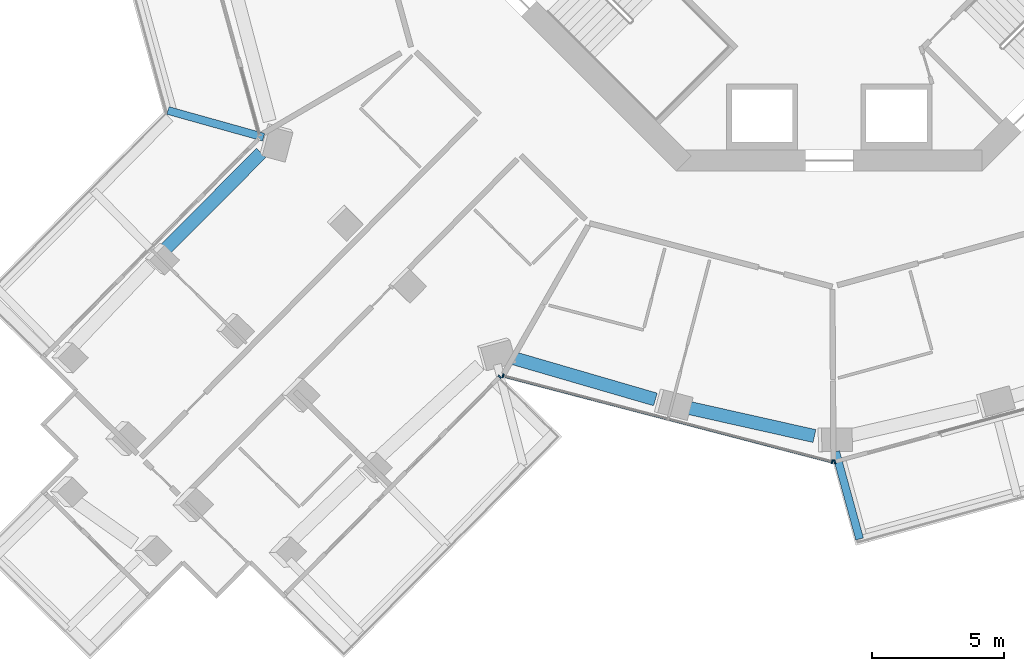
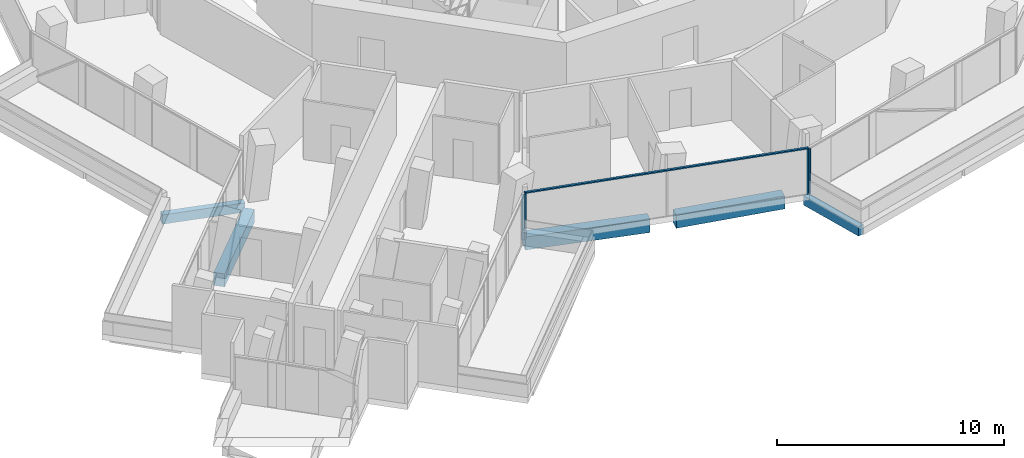
# One storey, part 3 of 26: 5 beams, 5 members, 3 elements without a shape of their own.
"""IFC4 building model written with IfcOpenShell, lengths in metres."""

from ifc_helpers import new_model, si_unit, direction, frame, origin, origin_2d, place, context, subcontext, project, spatial, rectangle, extrude, material, layer, layer_set, material_profile, profile_set, type_object, element, aggregate, save


model = new_model("IFC4")

# Units and contexts
model_context = context("Model", 3, precision=1e-05, world=origin(), true_north=direction((0.0, 1.0)))
body_context = subcontext(model_context, "Body", "Model", "MODEL_VIEW")
ifc_project = project(units=[si_unit("LENGTHUNIT", "METRE"), si_unit("AREAUNIT", "SQUARE_METRE"), si_unit("VOLUMEUNIT", "CUBIC_METRE"), si_unit("PLANEANGLEUNIT", "RADIAN"), si_unit("MASSUNIT", "GRAM", prefix="KILO")], contexts=[model_context])

# Site, building, storey
site_placement = place(None, origin())
site = spatial("IfcSite", under=ifc_project, at=site_placement, CompositionType="ELEMENT")
building_placement = place(site_placement, origin())
building = spatial("IfcBuilding", under=site, at=building_placement, Name="Verdalira Terraces Hotel", CompositionType="ELEMENT")
storey_placement = place(building_placement, frame((0.0, 0.0, 96.5)))
storey = spatial("IfcBuildingStorey", under=building, at=storey_placement, Name="L22", CompositionType="ELEMENT", Elevation=96.5)

# Beams
ifc_material_1 = material(Name="Concrete C40", Category="concrete")
ifc_material_profile_1 = material_profile(ifc_material_1, rectangle(XDim=0.300049, YDim=0.5, at=origin_2d()), Name="RC 300X500")
ifc_profile_set_1 = profile_set([ifc_material_profile_1], Name="Concrete C40")
beam_type_1 = type_object("IfcBeamType", Name="Balcony cantilever beam RC 300X500 C40", PredefinedType="BEAM", material=ifc_profile_set_1)
beam_1_placement = place(storey_placement, frame((-21.451904, -12.716309, -0.560059), z_axis=(-0.963156129, 0.268942877, 0.0), x_axis=(-0.268942877, -0.963156129, 0.0)))
element("IfcBeam", 1, at=beam_1_placement, inside=storey, type_object=beam_type_1, Name="Balcony cantilever beam R13-5", PredefinedType="BEAM", context=body_context, shape_type="SweptSolid", body=[
    extrude(rectangle(XDim=0.300049, YDim=0.5, at=origin_2d()), origin(), (0.0, 0.0, 1.0), 3.77002),
])
beam_2_placement = place(storey_placement, frame((0.23999, -24.643311, -0.560059), z_axis=(0.264868754, -0.964284472, 0.0), x_axis=(0.964284472, 0.264868754, 0.0)))
element("IfcBeam", 2, at=beam_2_placement, inside=storey, type_object=beam_type_1, Name="Balcony cantilever beam R26-1", PredefinedType="BEAM", context=body_context, shape_type="SweptSolid", body=[
    extrude(rectangle(XDim=0.300049, YDim=0.5, at=origin_2d()), origin(), (0.0, 0.0, 1.0), 3.431641),
])

# Curtain wall, members
ifc_material_2 = material(Name="Clear glass", Category="glass")
ifc_layer_1 = layer(ifc_material_2, 0.14990234375)
ifc_layer_set_1 = layer_set([ifc_layer_1], Name="CW1 curtain wall")
curtain_wall_type_1 = type_object("IfcCurtainWallType", Name="CW1 curtain wall", PredefinedType="NOTDEFINED", material=ifc_layer_set_1)
curtain_wall_1_placement = place(storey_placement, origin())
curtain_wall_1 = element("IfcCurtainWall", 3, at=curtain_wall_1_placement, inside=storey, type_object=curtain_wall_type_1, Name="CW1 curtain wall L22 edge 25", PredefinedType="NOTDEFINED")
ifc_material_3 = material(Name="Terracotta frame", Category="masonry")
ifc_material_profile_2 = material_profile(ifc_material_3, rectangle(XDim=0.060059, YDim=0.149902, at=origin_2d()), Name="MU 60x150")
ifc_profile_set_2 = profile_set([ifc_material_profile_2], Name="Terracotta frame")
member_type_1 = type_object("IfcMemberType", Name="CW1 mullion 60x150", PredefinedType="MULLION", material=ifc_profile_set_2)
member_1_placement = place(storey_placement, frame((-12.37207, -21.762939, 0.0), z_axis=(0.0, 0.0, 1.0), x_axis=(0.967532957, -0.252744885, 0.0)))
member_1 = element("IfcMember", 4, at=member_1_placement, type_object=member_type_1, Name="CW1 mullion", PredefinedType="MULLION", context=body_context, shape_type="SweptSolid", body=[
    extrude(rectangle(XDim=0.060059, YDim=0.149902, at=origin_2d()), origin(), (0.0, 0.0, 1.0), 2.425049),
])
member_2_placement = place(storey_placement, frame((0.108887, -25.023193, 0.0), z_axis=(0.0, 0.0, 1.0), x_axis=(0.967532957, -0.252744885, 0.0)))
member_2 = element("IfcMember", 5, at=member_2_placement, type_object=member_type_1, Name="CW1 mullion", PredefinedType="MULLION", context=body_context, shape_type="SweptSolid", body=[
    extrude(rectangle(XDim=0.060059, YDim=0.149902, at=origin_2d()), origin(), (0.0, 0.0, 1.0), 2.425049),
])

# Curtain wall, member
curtain_wall_2_placement = place(storey_placement, origin())
curtain_wall_2 = element("IfcCurtainWall", 6, at=curtain_wall_2_placement, inside=storey, type_object=curtain_wall_type_1, Name="CW1 curtain wall L22 edge 26", PredefinedType="NOTDEFINED")
member_3_placement = place(storey_placement, frame((0.205566, -25.022705, 0.0), z_axis=(0.0, 0.0, 1.0), x_axis=(0.964280562, 0.264882987, 0.0)))
member_3 = element("IfcMember", 7, at=member_3_placement, type_object=member_type_1, Name="CW1 mullion", PredefinedType="MULLION", context=body_context, shape_type="SweptSolid", body=[
    extrude(rectangle(XDim=0.060059, YDim=0.149902, at=origin_2d()), origin(), (0.0, 0.0, 1.0), 2.425049),
])
aggregate(curtain_wall_2, [member_3])

# Member
ifc_material_4 = material(Name="Terracotta frame", Category="masonry")
ifc_material_profile_3 = material_profile(ifc_material_4, rectangle(XDim=0.110107, YDim=0.064941, at=origin_2d()), Name="TR 65x110")
ifc_profile_set_3 = profile_set([ifc_material_profile_3], Name="Terracotta frame")
member_type_2 = type_object("IfcMemberType", Name="CW1 transom 65x110", PredefinedType="USERDEFINED", material=ifc_profile_set_3)
member_4_placement = place(storey_placement, frame((-12.401123, -21.755371, 2.45752), z_axis=(0.9675356, -0.252734767, 0.0), x_axis=(0.252734767, 0.9675356, 0.0)))
member_4 = element("IfcMember", 8, at=member_4_placement, type_object=member_type_2, Name="CW1 transom", ObjectType="TRANSOM", PredefinedType="USERDEFINED", context=body_context, shape_type="SweptSolid", body=[
    extrude(rectangle(XDim=0.110107, YDim=0.064941, at=origin_2d()), origin(), (0.0, 0.0, 1.0), 12.959717),
])

aggregate(curtain_wall_1, [member_1, member_2, member_4])

# Curtain wall, member
ifc_material_5 = material(Name="Clear glass", Category="glass")
ifc_layer_2 = layer(ifc_material_5, 0.14990234375)
ifc_layer_set_2 = layer_set([ifc_layer_2], Name="CW2 curtain wall")
curtain_wall_type_2 = type_object("IfcCurtainWallType", Name="CW2 curtain wall", PredefinedType="NOTDEFINED", material=ifc_layer_set_2)
curtain_wall_3_placement = place(storey_placement, origin())
curtain_wall_3 = element("IfcCurtainWall", 9, at=curtain_wall_3_placement, inside=storey, type_object=curtain_wall_type_2, Name="CW2 curtain wall L22 edge 24", PredefinedType="NOTDEFINED")
ifc_material_6 = material(Name="Terracotta frame", Category="masonry")
ifc_material_profile_4 = material_profile(ifc_material_6, rectangle(XDim=0.070068, YDim=0.149902, at=origin_2d()), Name="MU 70x150")
ifc_profile_set_4 = profile_set([ifc_material_profile_4], Name="Terracotta frame")
member_type_3 = type_object("IfcMemberType", Name="CW2 mullion 70x150", PredefinedType="MULLION", material=ifc_profile_set_4)
member_5_placement = place(storey_placement, frame((-12.498047, -21.800049, 0.0), z_axis=(0.0, 0.0, 1.0), x_axis=(0.70264997, 0.711535677, 0.0)))
member_5 = element("IfcMember", 10, at=member_5_placement, type_object=member_type_3, Name="CW2 mullion", PredefinedType="MULLION", context=body_context, shape_type="SweptSolid", body=[
    extrude(rectangle(XDim=0.070068, YDim=0.149902, at=origin_2d()), origin(), (0.0, 0.0, 1.0), 2.425049),
])
aggregate(curtain_wall_3, [member_5])

# Beams
ifc_material_7 = material(Name="Concrete C70", Category="concrete")
ifc_material_profile_5 = material_profile(ifc_material_7, rectangle(XDim=0.5, YDim=0.699951, at=origin_2d()), Name="RC 500X700")
ifc_profile_set_5 = profile_set([ifc_material_profile_5], Name="Concrete C70")
beam_type_2 = type_object("IfcBeamType", Name="Spandrel beam RC 500X700 C70", PredefinedType="SPANDREL", material=ifc_profile_set_5)
beam_3_placement = place(storey_placement, frame((-21.548584, -13.313721, -0.659912), z_axis=(-0.704973028, -0.709234115, 0.0), x_axis=(0.709234115, -0.704973028, 0.0)))
element("IfcBeam", 11, at=beam_3_placement, inside=storey, type_object=beam_type_2, Name="Spandrel beam B10", PredefinedType="SPANDREL", context=body_context, shape_type="SweptSolid", body=[
    extrude(rectangle(XDim=0.5, YDim=0.699951, at=origin_2d()), origin(), (0.0, 0.0, 1.0), 5.156494),
])
beam_4_placement = place(storey_placement, frame((-12.041504, -21.076416, -0.659912), z_axis=(0.960207051, -0.279289131, 0.0), x_axis=(0.279289131, 0.960207051, 0.0)))
element("IfcBeam", 12, at=beam_4_placement, inside=storey, type_object=beam_type_2, Name="Spandrel beam B15", PredefinedType="SPANDREL", context=body_context, shape_type="SweptSolid", body=[
    extrude(rectangle(XDim=0.5, YDim=0.699951, at=origin_2d()), origin(), (0.0, 0.0, 1.0), 5.671387),
])
beam_5_placement = place(storey_placement, frame((-5.455811, -22.952881, -0.659912), z_axis=(0.975814304, -0.218601108, 0.0), x_axis=(0.218601108, 0.975814304, 0.0)))
element("IfcBeam", 13, at=beam_5_placement, inside=storey, type_object=beam_type_2, Name="Spandrel beam B16", PredefinedType="SPANDREL", context=body_context, shape_type="SweptSolid", body=[
    extrude(rectangle(XDim=0.5, YDim=0.699951, at=origin_2d()), origin(), (0.0, 0.0, 1.0), 5.012451),
])

save(model, "model.ifc")
